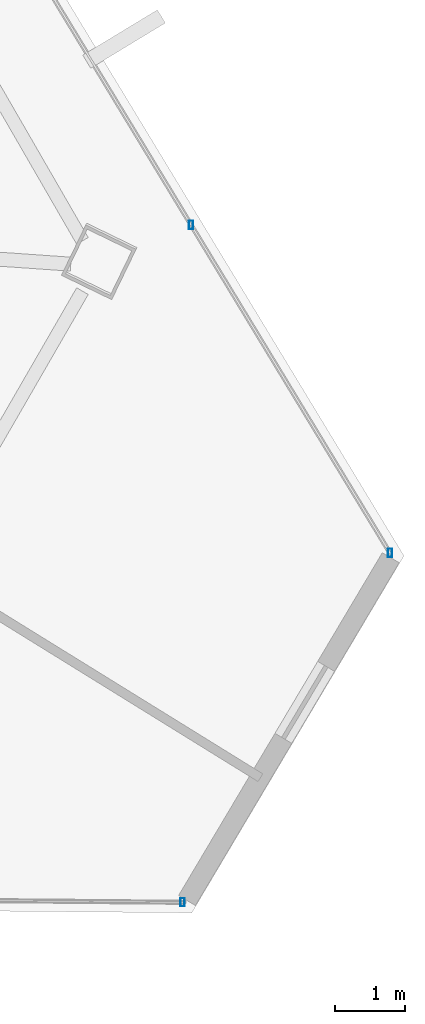
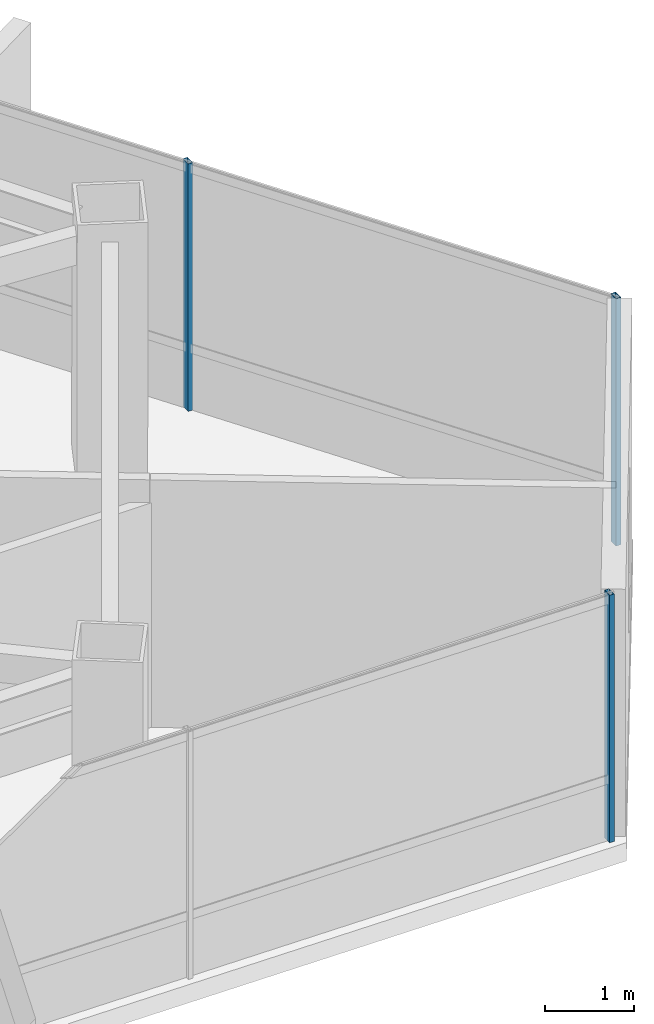
# One storey, part 26 of 49: 3 members, 2 elements without a shape of their own.
"""IFC4 building model written with IfcOpenShell, lengths in metres."""

from ifc_helpers import new_model, si_unit, direction, frame, origin, origin_2d, place, context, subcontext, project, spatial, hollow_rectangle, extrude, source, transform, mapped, material, material_profile, profile_set, type_object, type_shapes, element, aggregate, save


model = new_model("IFC4")

# Units and contexts
model_context = context("Model", 3, precision=1e-05, world=origin(), true_north=direction((0.0, 1.0)))
body_context = subcontext(model_context, "Body", "Model", "MODEL_VIEW")
ifc_project = project(units=[si_unit("LENGTHUNIT", "METRE"), si_unit("AREAUNIT", "SQUARE_METRE"), si_unit("VOLUMEUNIT", "CUBIC_METRE"), si_unit("PLANEANGLEUNIT", "RADIAN"), si_unit("MASSUNIT", "GRAM", prefix="KILO")], contexts=[model_context])

# Site, building, storey
site_placement = place(None, origin())
site = spatial("IfcSite", under=ifc_project, at=site_placement, CompositionType="ELEMENT")
building_placement = place(site_placement, origin())
building = spatial("IfcBuilding", under=site, at=building_placement, Name="Caelisora Broadcast Tower", CompositionType="ELEMENT")
storey_placement = place(building_placement, frame((0.0, 0.0, 233.5)))
storey = spatial("IfcBuildingStorey", under=building, at=storey_placement, Name="L61", CompositionType="ELEMENT", Elevation=233.5)

# Curtain wall, members
ifc_material_1 = material(Name="Unitised Aluminium and Low-E Glass Curtain Wall", Category="glass")
curtain_wall_type = type_object("IfcCurtainWallType", Name="CW-Z5", PredefinedType="NOTDEFINED", material=ifc_material_1)
curtain_wall_1_placement = place(storey_placement, origin())
curtain_wall_1 = element("IfcCurtainWall", 1, at=curtain_wall_1_placement, inside=storey, type_object=curtain_wall_type, Name="L61 curtain wall CW-Z5", PredefinedType="NOTDEFINED")
ifc_material_2 = material(Name="Aluminium 6063-T6 Anodised Terracotta Bronze", Category="aluminium")
ifc_material_profile = material_profile(ifc_material_2, hollow_rectangle(XDim=0.06005859375, YDim=0.1201171875, WallThickness=0.0029296875, at=origin_2d()), Name="Aluminium 6063-T6 Anodised Terracotta Bronze")
ifc_profile_set = profile_set([ifc_material_profile], Name="Aluminium 6063-T6 Anodised Terracotta Bronze")
member_type = type_object("IfcMemberType", Name="CWM-04", PredefinedType="MULLION", material=ifc_profile_set)
shared_shape = source(origin(), body_context, "Body", "SweptSolid", [
    extrude(hollow_rectangle(XDim=0.06005859375, YDim=0.1201171875, WallThickness=0.0029296875, at=origin_2d()), origin(), (0.0, 0.0, 1.0), 3.39990234375),
])
type_shapes(member_type, [shared_shape])
member_1_placement = place(storey_placement, frame((61.10888671875, 16.996337890625, 0.0), z_axis=(0.0, 0.0, 1.0), x_axis=(1.0, 0.0, 0.0)))
member_1 = element("IfcMember", 2, at=member_1_placement, type_object=member_type, Name="L61-CW-B03 mullion #2", PredefinedType="MULLION", context=body_context, shape_type="MappedRepresentation", body=[
    mapped(shared_shape, transform((0.0, 0.0, 0.0), scale=1.0)),
])
member_2_placement = place(storey_placement, frame((63.9580078125, 12.2978515625, 0.0), z_axis=(0.0, 0.0, 1.0), x_axis=(1.0, 0.0, 0.0)))
member_2 = element("IfcMember", 3, at=member_2_placement, type_object=member_type, Name="L61-CW-B03 mullion #3", PredefinedType="MULLION", context=body_context, shape_type="MappedRepresentation", body=[
    mapped(shared_shape, transform((0.0, 0.0, 0.0), scale=1.0)),
])
aggregate(curtain_wall_1, [member_1, member_2])

# Curtain wall, member
curtain_wall_2_placement = place(storey_placement, origin())
curtain_wall_2 = element("IfcCurtainWall", 4, at=curtain_wall_2_placement, inside=storey, type_object=curtain_wall_type, Name="L61 curtain wall CW-Z5", PredefinedType="NOTDEFINED")
member_3_placement = place(storey_placement, frame((60.985107421875, 7.29345703125, 0.0), z_axis=(0.0, 0.0, 1.0), x_axis=(1.0, 0.0, 0.0)))
member_3 = element("IfcMember", 5, at=member_3_placement, type_object=member_type, Name="L61-CW-B05 mullion #0", PredefinedType="MULLION", context=body_context, shape_type="MappedRepresentation", body=[
    mapped(shared_shape, transform((0.0, 0.0, 0.0), scale=1.0)),
])
aggregate(curtain_wall_2, [member_3])

save(model, "model.ifc")
